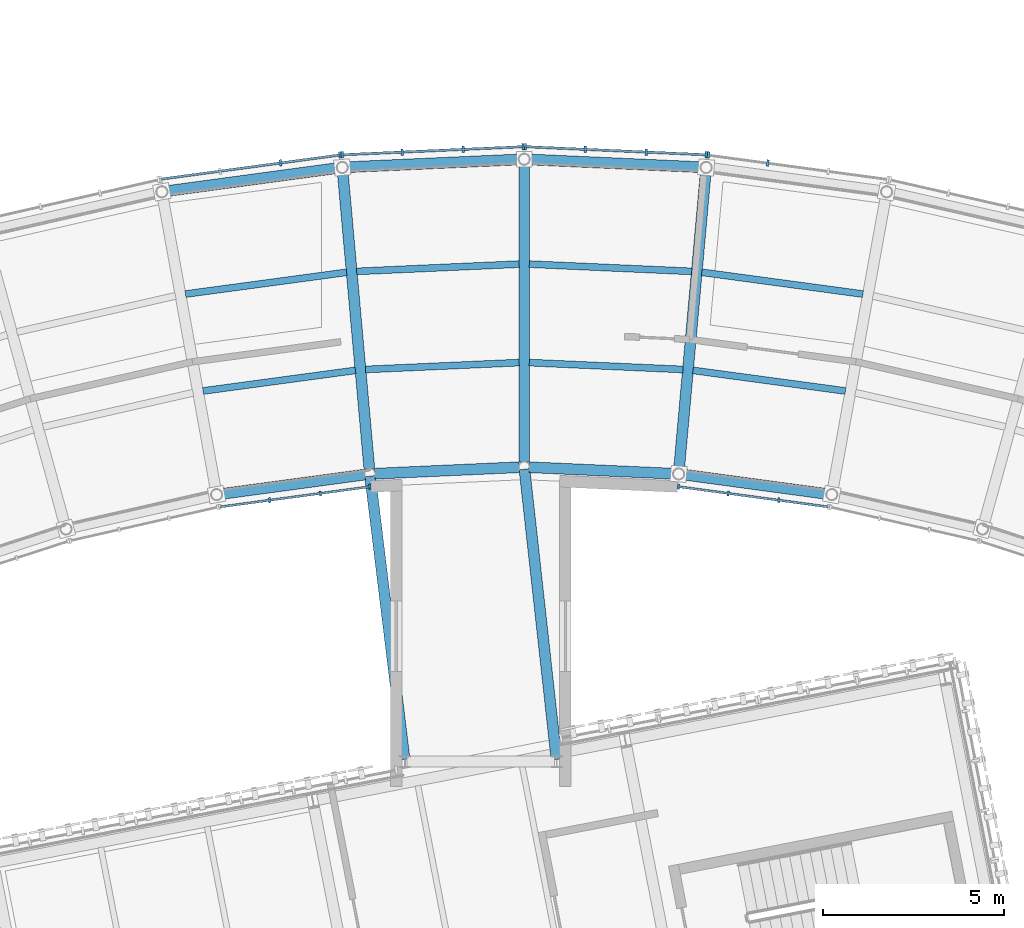
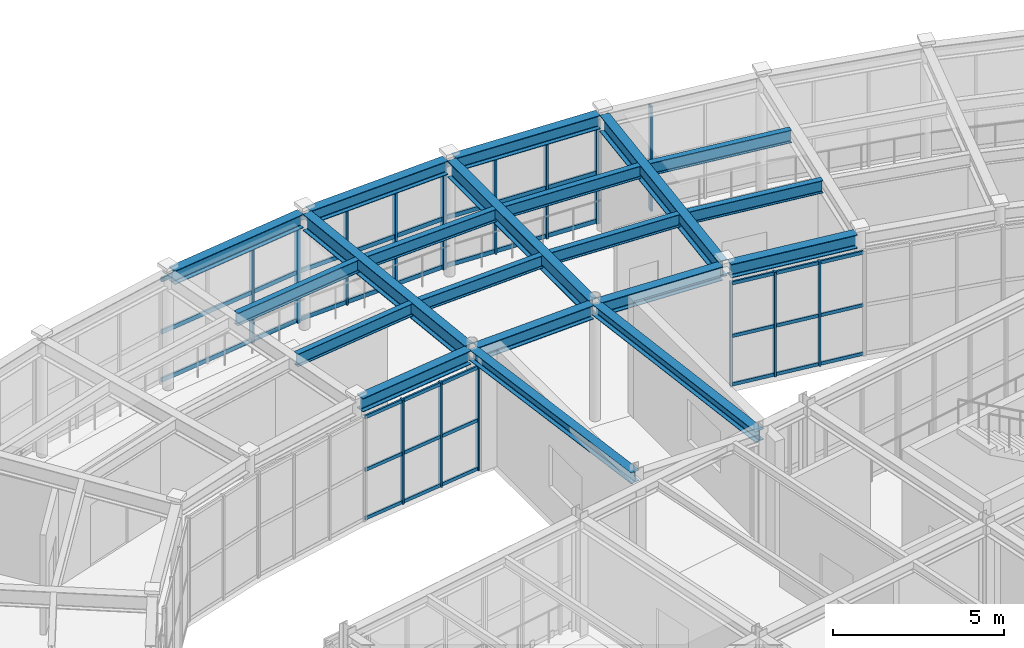
# One storey, part 47 of 103: 33 members, 20 beams, 6 elements without a shape of their own.
"""IFC4 building model written with IfcOpenShell, lengths in metres."""

from ifc_helpers import new_model, si_unit, direction, frame, origin, origin_2d, place, context, subcontext, project, spatial, rectangle, i_section, extrude, material, material_profile, profile_set, type_object, element, aggregate, save


model = new_model("IFC4")

# Units and contexts
model_context = context("Model", 3, precision=1e-05, world=origin(), true_north=direction((0.0, 1.0)))
body_context = subcontext(model_context, "Body", "Model", "MODEL_VIEW")
ifc_project = project(units=[si_unit("LENGTHUNIT", "METRE"), si_unit("AREAUNIT", "SQUARE_METRE"), si_unit("VOLUMEUNIT", "CUBIC_METRE"), si_unit("PLANEANGLEUNIT", "RADIAN"), si_unit("MASSUNIT", "GRAM", prefix="KILO")], contexts=[model_context])

# Site, building, storey
site_placement = place(None, origin())
site = spatial("IfcSite", under=ifc_project, at=site_placement, CompositionType="ELEMENT")
building_placement = place(site_placement, origin())
building = spatial("IfcBuilding", under=site, at=building_placement, Name="Varnklinge Art Gallery", CompositionType="ELEMENT")
storey_placement = place(building_placement, frame((0.0, 0.0, 5.10009765625)))
storey = spatial("IfcBuildingStorey", under=building, at=storey_placement, Name="L01", CompositionType="ELEMENT", Elevation=5.10009765625)

# Beams
ifc_material_1 = material(Name="Steel S355", Category="steel")
ifc_material_profile_1 = material_profile(ifc_material_1, i_section(OverallWidth=0.300048828125, OverallDepth=0.590087890625, WebThickness=0.012939453125, FlangeThickness=0.02490234375, FilletRadius=0.027099609375, at=origin_2d()), Name="HEA 600")
ifc_profile_set_1 = profile_set([ifc_material_profile_1], Name="Steel S355")
beam_type_1 = type_object("IfcBeamType", Name="BM-06", PredefinedType="BEAM", material=ifc_profile_set_1)
beam_1_placement = place(storey_placement, frame((80.517822265625, 96.889892578125, 3.885009765625), z_axis=(-0.089446998225, -0.995991583553, 0.0), x_axis=(0.995991583553, -0.089446998225, 0.0)))
element("IfcBeam", 1, at=beam_1_placement, inside=storey, type_object=beam_type_1, Name="L01 BM-06 BM-V2-L02-R16", PredefinedType="BEAM", context=body_context, shape_type="SweptSolid", body=[
    extrude(i_section(OverallWidth=0.300048828125, OverallDepth=0.590087890625, WebThickness=0.012939453125, FlangeThickness=0.02490234375, FilletRadius=0.027099609375, at=origin_2d()), origin(), (0.0, 0.0, 1.0), 8.229248046875),
])
beam_2_placement = place(storey_placement, frame((75.5, 97.114501953125, 3.885009765625), z_axis=(0.0, -1.0, 0.0), x_axis=(1.0, 0.0, 0.0)))
element("IfcBeam", 2, at=beam_2_placement, inside=storey, type_object=beam_type_1, Name="L01 BM-06 BM-V2-L02-R17", PredefinedType="BEAM", context=body_context, shape_type="SweptSolid", body=[
    extrude(i_section(OverallWidth=0.300048828125, OverallDepth=0.590087890625, WebThickness=0.012939453125, FlangeThickness=0.02490234375, FilletRadius=0.027099609375, at=origin_2d()), origin(), (0.0, 0.0, 1.0), 8.22900390625),
])
beam_3_placement = place(storey_placement, frame((70.482177734375, 96.889892578125, 3.885009765625), z_axis=(0.089446998225, -0.995991583553, 0.0), x_axis=(0.995991583553, 0.089446998225, 0.0)))
element("IfcBeam", 3, at=beam_3_placement, inside=storey, type_object=beam_type_1, Name="L01 BM-06 BM-V2-L02-R18", PredefinedType="BEAM", context=body_context, shape_type="SweptSolid", body=[
    extrude(i_section(OverallWidth=0.300048828125, OverallDepth=0.590087890625, WebThickness=0.012939453125, FlangeThickness=0.02490234375, FilletRadius=0.027099609375, at=origin_2d()), origin(), (0.0, 0.0, 1.0), 8.229248046875),
])
ifc_material_2 = material(Name="Steel S355", Category="steel")
ifc_material_profile_2 = material_profile(ifc_material_2, i_section(OverallWidth=0.300048828125, OverallDepth=0.389892578125, WebThickness=0.010986328125, FlangeThickness=0.01904296875, FilletRadius=0.027099609375, at=origin_2d()), Name="HEA 400")
ifc_profile_set_2 = profile_set([ifc_material_profile_2], Name="Steel S355")
beam_type_2 = type_object("IfcBeamType", Name="BM-09", PredefinedType="BEAM", material=ifc_profile_set_2)
beam_4_placement = place(storey_placement, frame((76.393310546875, 80.65966796875, 3.98486328125), z_axis=(-0.109810964055, 0.993952489897, 0.0), x_axis=(-0.993952489897, -0.109810964055, 0.0)))
element("IfcBeam", 4, at=beam_4_placement, inside=storey, type_object=beam_type_2, Name="L01 BM-09 BM-LNK-V4N-L02-2", PredefinedType="BEAM", context=body_context, shape_type="SweptSolid", body=[
    extrude(i_section(OverallWidth=0.300048828125, OverallDepth=0.389892578125, WebThickness=0.010986328125, FlangeThickness=0.01904296875, FilletRadius=0.027099609375, at=origin_2d()), origin(), (0.0, 0.0, 1.0), 8.074951171875),
])
beam_5_placement = place(storey_placement, frame((71.238037109375, 88.494384765625, 3.98486328125), z_axis=(0.120946581817, -0.992659017159, 0.0), x_axis=(0.992659017159, 0.120946581817, 0.0)))
element("IfcBeam", 5, at=beam_5_placement, inside=storey, type_object=beam_type_2, Name="L01 BM-09 BM-LNK-V4N-L02-4", PredefinedType="BEAM", context=body_context, shape_type="SweptSolid", body=[
    extrude(i_section(OverallWidth=0.300048828125, OverallDepth=0.389892578125, WebThickness=0.010986328125, FlangeThickness=0.01904296875, FilletRadius=0.027099609375, at=origin_2d()), origin(), (0.0, 0.0, 1.0), 7.892578125),
])
ifc_material_3 = material(Name="Steel S355", Category="steel")
ifc_material_profile_3 = material_profile(ifc_material_3, i_section(OverallWidth=0.18994140625, OverallDepth=0.449951171875, WebThickness=0.009521484375, FlangeThickness=0.0146484375, FilletRadius=0.02099609375, at=origin_2d()), Name="IPE 450")
ifc_profile_set_3 = profile_set([ifc_material_profile_3], Name="Steel S355")
beam_type_3 = type_object("IfcBeamType", Name="JST-04", PredefinedType="JOIST", material=ifc_profile_set_3)
beam_6_placement = place(storey_placement, frame((84.8662109375, 93.52685546875, 3.954833984375), z_axis=(-0.990994962068, 0.1338991604, 0.0), x_axis=(-0.1338991604, -0.990994962068, 0.0)))
element("IfcBeam", 6, at=beam_6_placement, inside=storey, type_object=beam_type_3, Name="L01 JST-04 JST-V2-L02-15-1", PredefinedType="JOIST", context=body_context, shape_type="SweptSolid", body=[
    extrude(i_section(OverallWidth=0.18994140625, OverallDepth=0.449951171875, WebThickness=0.009521484375, FlangeThickness=0.0146484375, FilletRadius=0.02099609375, at=origin_2d()), origin(), (0.0, 0.0, 1.0), 4.496337890625),
])
beam_7_placement = place(storey_placement, frame((84.381103515625, 90.847412109375, 3.954833984375), z_axis=(-0.990990165217, 0.133934657366, 0.0), x_axis=(-0.133934657366, -0.990990165217, 0.0)))
element("IfcBeam", 7, at=beam_7_placement, inside=storey, type_object=beam_type_3, Name="L01 JST-04 JST-V2-L02-15-2", PredefinedType="JOIST", context=body_context, shape_type="SweptSolid", body=[
    extrude(i_section(OverallWidth=0.18994140625, OverallDepth=0.449951171875, WebThickness=0.009521484375, FlangeThickness=0.0146484375, FilletRadius=0.02099609375, at=origin_2d()), origin(), (0.0, 0.0, 1.0), 4.252685546875),
])
beam_8_placement = place(storey_placement, frame((80.131591796875, 94.154052734375, 3.954833984375), z_axis=(-0.998998547329, 0.044742624361, 0.0), x_axis=(-0.044742624361, -0.998998547329, 0.0)))
element("IfcBeam", 8, at=beam_8_placement, inside=storey, type_object=beam_type_3, Name="L01 JST-04 JST-V2-L02-16-1", PredefinedType="JOIST", context=body_context, shape_type="SweptSolid", body=[
    extrude(i_section(OverallWidth=0.18994140625, OverallDepth=0.449951171875, WebThickness=0.009521484375, FlangeThickness=0.0146484375, FilletRadius=0.02099609375, at=origin_2d()), origin(), (0.0, 0.0, 1.0), 4.49609375),
])
beam_9_placement = place(storey_placement, frame((79.88818359375, 91.44189453125, 3.954833984375), z_axis=(-0.998996870661, 0.044780044774, 0.0), x_axis=(-0.044780044774, -0.998996870661, 0.0)))
element("IfcBeam", 9, at=beam_9_placement, inside=storey, type_object=beam_type_3, Name="L01 JST-04 JST-V2-L02-16-2", PredefinedType="JOIST", context=body_context, shape_type="SweptSolid", body=[
    extrude(i_section(OverallWidth=0.18994140625, OverallDepth=0.449951171875, WebThickness=0.009521484375, FlangeThickness=0.0146484375, FilletRadius=0.02099609375, at=origin_2d()), origin(), (0.0, 0.0, 1.0), 4.25244140625),
])
beam_10_placement = place(storey_placement, frame((75.360107421875, 94.355224609375, 3.954833984375), z_axis=(-0.998998547329, -0.044742624361, 0.0), x_axis=(0.044742624361, -0.998998547329, 0.0)))
element("IfcBeam", 10, at=beam_10_placement, inside=storey, type_object=beam_type_3, Name="L01 JST-04 JST-V2-L02-17-1", PredefinedType="JOIST", context=body_context, shape_type="SweptSolid", body=[
    extrude(i_section(OverallWidth=0.18994140625, OverallDepth=0.449951171875, WebThickness=0.009521484375, FlangeThickness=0.0146484375, FilletRadius=0.02099609375, at=origin_2d()), origin(), (0.0, 0.0, 1.0), 4.49609375),
])
beam_11_placement = place(storey_placement, frame((75.360107421875, 91.63232421875, 3.954833984375), z_axis=(-0.998996870661, -0.044780044774, 0.0), x_axis=(0.044780044774, -0.998996870661, 0.0)))
element("IfcBeam", 11, at=beam_11_placement, inside=storey, type_object=beam_type_3, Name="L01 JST-04 JST-V2-L02-17-2", PredefinedType="JOIST", context=body_context, shape_type="SweptSolid", body=[
    extrude(i_section(OverallWidth=0.18994140625, OverallDepth=0.449951171875, WebThickness=0.009521484375, FlangeThickness=0.0146484375, FilletRadius=0.02099609375, at=origin_2d()), origin(), (0.0, 0.0, 1.0), 4.25244140625),
])
beam_12_placement = place(storey_placement, frame((70.589599609375, 94.12890625, 3.954833984375), z_axis=(-0.990994962068, -0.1338991604, 0.0), x_axis=(0.1338991604, -0.990994962068, 0.0)))
element("IfcBeam", 12, at=beam_12_placement, inside=storey, type_object=beam_type_3, Name="L01 JST-04 JST-V2-L02-18-1", PredefinedType="JOIST", context=body_context, shape_type="SweptSolid", body=[
    extrude(i_section(OverallWidth=0.18994140625, OverallDepth=0.449951171875, WebThickness=0.009521484375, FlangeThickness=0.0146484375, FilletRadius=0.02099609375, at=origin_2d()), origin(), (0.0, 0.0, 1.0), 4.496337890625),
])
beam_13_placement = place(storey_placement, frame((70.833251953125, 91.4169921875, 3.954833984375), z_axis=(-0.990990165217, -0.133934657366, 0.0), x_axis=(0.133934657366, -0.990990165217, 0.0)))
element("IfcBeam", 13, at=beam_13_placement, inside=storey, type_object=beam_type_3, Name="L01 JST-04 JST-V2-L02-18-2", PredefinedType="JOIST", context=body_context, shape_type="SweptSolid", body=[
    extrude(i_section(OverallWidth=0.18994140625, OverallDepth=0.449951171875, WebThickness=0.009521484375, FlangeThickness=0.0146484375, FilletRadius=0.02099609375, at=origin_2d()), origin(), (0.0, 0.0, 1.0), 4.252685546875),
])

# Curtain wall, members
ifc_material_4 = material(Name="Anodised Aluminium", Category="aluminium")
curtain_wall_type = type_object("IfcCurtainWallType", Name="CW-R04", PredefinedType="USERDEFINED", material=ifc_material_4)
curtain_wall_1_placement = place(storey_placement, origin())
curtain_wall_1 = element("IfcCurtainWall", 14, at=curtain_wall_1_placement, inside=storey, type_object=curtain_wall_type, Name="L01 Curtain Wall CW-V2O-L01-15", ObjectType="UNITISED CURTAIN WALL", PredefinedType="USERDEFINED")
ifc_material_5 = material(Name="Anodised Aluminium", Category="aluminium")
ifc_material_profile_4 = material_profile(ifc_material_5, rectangle(XDim=0.06494140625, YDim=0.179931640625, at=origin_2d()), Name="ALU 65x180")
ifc_profile_set_4 = profile_set([ifc_material_profile_4], Name="Anodised Aluminium")
member_type_1 = type_object("IfcMemberType", Name="MUL-01", PredefinedType="MULLION", material=ifc_profile_set_4)
member_1_placement = place(storey_placement, frame((82.235107421875, 97.151611328125, 0.0), z_axis=(0.0, 0.0, 1.0), x_axis=(-0.990983199715, 0.133986185418, 0.0)))
member_1 = element("IfcMember", 15, at=member_1_placement, type_object=member_type_1, Name="CW-V2O-L01-15 Mullion 3", PredefinedType="MULLION", context=body_context, shape_type="SweptSolid", body=[
    extrude(rectangle(XDim=0.06494140625, YDim=0.179931640625, at=origin_2d()), origin(), (0.0, 0.0, 1.0), 3.72998046875),
])
member_2_placement = place(storey_placement, frame((80.59375, 97.37353515625, 0.0), z_axis=(0.0, 0.0, 1.0), x_axis=(-0.990983199715, 0.133986185418, 0.0)))
member_2 = element("IfcMember", 16, at=member_2_placement, type_object=member_type_1, Name="CW-V2O-L01-15 Mullion 4", PredefinedType="MULLION", context=body_context, shape_type="SweptSolid", body=[
    extrude(rectangle(XDim=0.06494140625, YDim=0.179931640625, at=origin_2d()), origin(), (0.0, 0.0, 1.0), 3.72998046875),
])
aggregate(curtain_wall_1, [member_1, member_2])

curtain_wall_2_placement = place(storey_placement, origin())
curtain_wall_2 = element("IfcCurtainWall", 17, at=curtain_wall_2_placement, inside=storey, type_object=curtain_wall_type, Name="L01 Curtain Wall CW-V2O-L01-16", ObjectType="UNITISED CURTAIN WALL", PredefinedType="USERDEFINED")
member_3_placement = place(storey_placement, frame((80.529052734375, 97.37939453125, 0.0), z_axis=(0.0, 0.0, 1.0), x_axis=(-0.999001995685, 0.044665564108, 0.0)))
member_3 = element("IfcMember", 18, at=member_3_placement, type_object=member_type_1, Name="CW-V2O-L01-16 Mullion 1", PredefinedType="MULLION", context=body_context, shape_type="SweptSolid", body=[
    extrude(rectangle(XDim=0.06494140625, YDim=0.179931640625, at=origin_2d()), origin(), (0.0, 0.0, 1.0), 3.72998046875),
])
member_4_placement = place(storey_placement, frame((78.87451171875, 97.45361328125, 0.0), z_axis=(0.0, 0.0, 1.0), x_axis=(-0.999001995685, 0.044665564108, 0.0)))
member_4 = element("IfcMember", 19, at=member_4_placement, type_object=member_type_1, Name="CW-V2O-L01-16 Mullion 2", PredefinedType="MULLION", context=body_context, shape_type="SweptSolid", body=[
    extrude(rectangle(XDim=0.06494140625, YDim=0.179931640625, at=origin_2d()), origin(), (0.0, 0.0, 1.0), 3.72998046875),
])
member_5_placement = place(storey_placement, frame((77.187255859375, 97.529052734375, 0.0), z_axis=(0.0, 0.0, 1.0), x_axis=(-0.999001995685, 0.044665564108, 0.0)))
member_5 = element("IfcMember", 20, at=member_5_placement, type_object=member_type_1, Name="CW-V2O-L01-16 Mullion 3", PredefinedType="MULLION", context=body_context, shape_type="SweptSolid", body=[
    extrude(rectangle(XDim=0.06494140625, YDim=0.179931640625, at=origin_2d()), origin(), (0.0, 0.0, 1.0), 3.72998046875),
])
member_6_placement = place(storey_placement, frame((75.532470703125, 97.60302734375, 0.0), z_axis=(0.0, 0.0, 1.0), x_axis=(-0.999001995685, 0.044665564108, 0.0)))
member_6 = element("IfcMember", 21, at=member_6_placement, type_object=member_type_1, Name="CW-V2O-L01-16 Mullion 4", PredefinedType="MULLION", context=body_context, shape_type="SweptSolid", body=[
    extrude(rectangle(XDim=0.06494140625, YDim=0.179931640625, at=origin_2d()), origin(), (0.0, 0.0, 1.0), 3.72998046875),
])

curtain_wall_3_placement = place(storey_placement, origin())
curtain_wall_3 = element("IfcCurtainWall", 22, at=curtain_wall_3_placement, inside=storey, type_object=curtain_wall_type, Name="L01 Curtain Wall CW-V2O-L01-17", ObjectType="UNITISED CURTAIN WALL", PredefinedType="USERDEFINED")
member_7_placement = place(storey_placement, frame((75.467529296875, 97.60302734375, 0.0), z_axis=(0.0, 0.0, 1.0), x_axis=(-0.999001995685, -0.044665564108, 0.0)))
member_7 = element("IfcMember", 23, at=member_7_placement, type_object=member_type_1, Name="CW-V2O-L01-17 Mullion 1", PredefinedType="MULLION", context=body_context, shape_type="SweptSolid", body=[
    extrude(rectangle(XDim=0.06494140625, YDim=0.179931640625, at=origin_2d()), origin(), (0.0, 0.0, 1.0), 3.72998046875),
])
member_8_placement = place(storey_placement, frame((73.812744140625, 97.529052734375, 0.0), z_axis=(0.0, 0.0, 1.0), x_axis=(-0.999001995685, -0.044665564108, 0.0)))
member_8 = element("IfcMember", 24, at=member_8_placement, type_object=member_type_1, Name="CW-V2O-L01-17 Mullion 2", PredefinedType="MULLION", context=body_context, shape_type="SweptSolid", body=[
    extrude(rectangle(XDim=0.06494140625, YDim=0.179931640625, at=origin_2d()), origin(), (0.0, 0.0, 1.0), 3.72998046875),
])
member_9_placement = place(storey_placement, frame((72.12548828125, 97.45361328125, 0.0), z_axis=(0.0, 0.0, 1.0), x_axis=(-0.999001995685, -0.044665564108, 0.0)))
member_9 = element("IfcMember", 25, at=member_9_placement, type_object=member_type_1, Name="CW-V2O-L01-17 Mullion 3", PredefinedType="MULLION", context=body_context, shape_type="SweptSolid", body=[
    extrude(rectangle(XDim=0.06494140625, YDim=0.179931640625, at=origin_2d()), origin(), (0.0, 0.0, 1.0), 3.72998046875),
])
member_10_placement = place(storey_placement, frame((70.470947265625, 97.37939453125, 0.0), z_axis=(0.0, 0.0, 1.0), x_axis=(-0.999001995685, -0.044665564108, 0.0)))
member_10 = element("IfcMember", 26, at=member_10_placement, type_object=member_type_1, Name="CW-V2O-L01-17 Mullion 4", PredefinedType="MULLION", context=body_context, shape_type="SweptSolid", body=[
    extrude(rectangle(XDim=0.06494140625, YDim=0.179931640625, at=origin_2d()), origin(), (0.0, 0.0, 1.0), 3.72998046875),
])

curtain_wall_4_placement = place(storey_placement, origin())
curtain_wall_4 = element("IfcCurtainWall", 27, at=curtain_wall_4_placement, inside=storey, type_object=curtain_wall_type, Name="L01 Curtain Wall CW-V2O-L01-18", ObjectType="UNITISED CURTAIN WALL", PredefinedType="USERDEFINED")
member_11_placement = place(storey_placement, frame((70.40625, 97.37353515625, 0.0), z_axis=(0.0, 0.0, 1.0), x_axis=(-0.990983199715, -0.133986185418, 0.0)))
member_11 = element("IfcMember", 28, at=member_11_placement, type_object=member_type_1, Name="CW-V2O-L01-18 Mullion 1", PredefinedType="MULLION", context=body_context, shape_type="SweptSolid", body=[
    extrude(rectangle(XDim=0.06494140625, YDim=0.179931640625, at=origin_2d()), origin(), (0.0, 0.0, 1.0), 3.72998046875),
])
member_12_placement = place(storey_placement, frame((68.764892578125, 97.151611328125, 0.0), z_axis=(0.0, 0.0, 1.0), x_axis=(-0.990983199715, -0.133986185418, 0.0)))
member_12 = element("IfcMember", 29, at=member_12_placement, type_object=member_type_1, Name="CW-V2O-L01-18 Mullion 2", PredefinedType="MULLION", context=body_context, shape_type="SweptSolid", body=[
    extrude(rectangle(XDim=0.06494140625, YDim=0.179931640625, at=origin_2d()), origin(), (0.0, 0.0, 1.0), 3.72998046875),
])

curtain_wall_5_placement = place(storey_placement, origin())
curtain_wall_5 = element("IfcCurtainWall", 30, at=curtain_wall_5_placement, inside=storey, type_object=curtain_wall_type, Name="L01 Curtain Wall CW-V2I-L01-15", ObjectType="UNITISED CURTAIN WALL", PredefinedType="USERDEFINED")
ifc_material_6 = material(Name="Anodised Aluminium", Category="aluminium")
ifc_material_profile_5 = material_profile(ifc_material_6, rectangle(XDim=0.06005859375, YDim=0.139892578125, at=origin_2d()), Name="ALU 60x140")
ifc_profile_set_5 = profile_set([ifc_material_profile_5], Name="Anodised Aluminium")
member_type_2 = type_object("IfcMemberType", Name="MUL-03", PredefinedType="MULLION", material=ifc_profile_set_5)
member_13_placement = place(storey_placement, frame((79.767578125, 88.201416015625, 0.0), z_axis=(0.0, 0.0, 1.0), x_axis=(0.990983199715, -0.133986185418, 0.0)))
member_13 = element("IfcMember", 31, at=member_13_placement, type_object=member_type_2, Name="CW-V2I-L01-15 Mullion 1", PredefinedType="MULLION", context=body_context, shape_type="SweptSolid", body=[
    extrude(rectangle(XDim=0.06005859375, YDim=0.139892578125, at=origin_2d()), origin(), (0.0, 0.0, 1.0), 3.72998046875),
])
member_14_placement = place(storey_placement, frame((81.139404296875, 88.01611328125, 0.0), z_axis=(0.0, 0.0, 1.0), x_axis=(0.990983199715, -0.133986185418, 0.0)))
member_14 = element("IfcMember", 32, at=member_14_placement, type_object=member_type_2, Name="CW-V2I-L01-15 Mullion 2", PredefinedType="MULLION", context=body_context, shape_type="SweptSolid", body=[
    extrude(rectangle(XDim=0.06005859375, YDim=0.139892578125, at=origin_2d()), origin(), (0.0, 0.0, 1.0), 3.72998046875),
])
member_15_placement = place(storey_placement, frame((82.540771484375, 87.826904296875, 0.0), z_axis=(0.0, 0.0, 1.0), x_axis=(0.990983199715, -0.133986185418, 0.0)))
member_15 = element("IfcMember", 33, at=member_15_placement, type_object=member_type_2, Name="CW-V2I-L01-15 Mullion 3", PredefinedType="MULLION", context=body_context, shape_type="SweptSolid", body=[
    extrude(rectangle(XDim=0.06005859375, YDim=0.139892578125, at=origin_2d()), origin(), (0.0, 0.0, 1.0), 3.72998046875),
])

curtain_wall_6_placement = place(storey_placement, origin())
curtain_wall_6 = element("IfcCurtainWall", 34, at=curtain_wall_6_placement, inside=storey, type_object=curtain_wall_type, Name="L01 Curtain Wall CW-V2I-L01-18", ObjectType="UNITISED CURTAIN WALL", PredefinedType="USERDEFINED")
member_16_placement = place(storey_placement, frame((68.459228515625, 87.826904296875, 0.0), z_axis=(0.0, 0.0, 1.0), x_axis=(0.990983199715, 0.133986185418, 0.0)))
member_16 = element("IfcMember", 35, at=member_16_placement, type_object=member_type_2, Name="CW-V2I-L01-18 Mullion 2", PredefinedType="MULLION", context=body_context, shape_type="SweptSolid", body=[
    extrude(rectangle(XDim=0.06005859375, YDim=0.139892578125, at=origin_2d()), origin(), (0.0, 0.0, 1.0), 3.72998046875),
])
member_17_placement = place(storey_placement, frame((69.860595703125, 88.01611328125, 0.0), z_axis=(0.0, 0.0, 1.0), x_axis=(0.990983199715, 0.133986185418, 0.0)))
member_17 = element("IfcMember", 36, at=member_17_placement, type_object=member_type_2, Name="CW-V2I-L01-18 Mullion 3", PredefinedType="MULLION", context=body_context, shape_type="SweptSolid", body=[
    extrude(rectangle(XDim=0.06005859375, YDim=0.139892578125, at=origin_2d()), origin(), (0.0, 0.0, 1.0), 3.72998046875),
])
member_18_placement = place(storey_placement, frame((71.232421875, 88.201416015625, 0.0), z_axis=(0.0, 0.0, 1.0), x_axis=(0.990983199715, 0.133986185418, 0.0)))
member_18 = element("IfcMember", 37, at=member_18_placement, type_object=member_type_2, Name="CW-V2I-L01-18 Mullion 4", PredefinedType="MULLION", context=body_context, shape_type="SweptSolid", body=[
    extrude(rectangle(XDim=0.06005859375, YDim=0.139892578125, at=origin_2d()), origin(), (0.0, 0.0, 1.0), 3.72998046875),
])

# Beams
ifc_material_7 = material(Name="Steel S355", Category="steel")
ifc_material_profile_6 = material_profile(ifc_material_7, i_section(OverallWidth=0.300048828125, OverallDepth=0.489990234375, WebThickness=0.011962890625, FlangeThickness=0.02294921875, FilletRadius=0.027099609375, at=origin_2d()), Name="HEA 500")
ifc_profile_set_6 = profile_set([ifc_material_profile_6], Name="Steel S355")
beam_type_4 = type_object("IfcBeamType", Name="SPB-01", PredefinedType="SPANDREL", material=ifc_profile_set_6)
beam_14_placement = place(storey_placement, frame((83.86572265625, 88.00048828125, 3.934814453125), z_axis=(-0.990989799055, 0.133937366586, 0.0), x_axis=(-0.133937366586, -0.990989799055, 0.0)))
element("IfcBeam", 38, at=beam_14_placement, inside=storey, type_object=beam_type_4, Name="L01 SPB-01 BM-V2-L02-I15", PredefinedType="SPANDREL", context=body_context, shape_type="SweptSolid", body=[
    extrude(i_section(OverallWidth=0.300048828125, OverallDepth=0.489990234375, WebThickness=0.011962890625, FlangeThickness=0.02294921875, FilletRadius=0.027099609375, at=origin_2d()), origin(), (0.0, 0.0, 1.0), 3.99365234375),
])
beam_15_placement = place(storey_placement, frame((80.390380859375, 97.03564453125, 3.934814453125), z_axis=(-0.998999636454, 0.0447183001, 0.0), x_axis=(-0.0447183001, -0.998999636454, 0.0)))
element("IfcBeam", 39, at=beam_15_placement, inside=storey, type_object=beam_type_4, Name="L01 SPB-01 BM-V2-L02-O16", PredefinedType="SPANDREL", context=body_context, shape_type="SweptSolid", body=[
    extrude(i_section(OverallWidth=0.300048828125, OverallDepth=0.489990234375, WebThickness=0.011962890625, FlangeThickness=0.02294921875, FilletRadius=0.027099609375, at=origin_2d()), origin(), (0.0, 0.0, 1.0), 4.755126953125),
])
beam_16_placement = place(storey_placement, frame((79.62939453125, 88.560302734375, 3.934814453125), z_axis=(-0.998998197966, 0.044750424142, 0.0), x_axis=(-0.044750424142, -0.998998197966, 0.0)))
element("IfcBeam", 40, at=beam_16_placement, inside=storey, type_object=beam_type_4, Name="L01 SPB-01 BM-V2-L02-I16", PredefinedType="SPANDREL", context=body_context, shape_type="SweptSolid", body=[
    extrude(i_section(OverallWidth=0.300048828125, OverallDepth=0.489990234375, WebThickness=0.011962890625, FlangeThickness=0.02294921875, FilletRadius=0.027099609375, at=origin_2d()), origin(), (0.0, 0.0, 1.0), 3.993408203125),
])
beam_17_placement = place(storey_placement, frame((75.360107421875, 97.248291015625, 3.934814453125), z_axis=(-0.998999636454, -0.0447183001, 0.0), x_axis=(0.0447183001, -0.998999636454, 0.0)))
element("IfcBeam", 41, at=beam_17_placement, inside=storey, type_object=beam_type_4, Name="L01 SPB-01 BM-V2-L02-O17", PredefinedType="SPANDREL", context=body_context, shape_type="SweptSolid", body=[
    extrude(i_section(OverallWidth=0.300048828125, OverallDepth=0.489990234375, WebThickness=0.011962890625, FlangeThickness=0.02294921875, FilletRadius=0.027099609375, at=origin_2d()), origin(), (0.0, 0.0, 1.0), 4.755126953125),
])
beam_18_placement = place(storey_placement, frame((75.360107421875, 88.739013671875, 3.934814453125), z_axis=(-0.998998197966, -0.044750424142, 0.0), x_axis=(0.044750424142, -0.998998197966, 0.0)))
element("IfcBeam", 42, at=beam_18_placement, inside=storey, type_object=beam_type_4, Name="L01 SPB-01 BM-V2-L02-I17", PredefinedType="SPANDREL", context=body_context, shape_type="SweptSolid", body=[
    extrude(i_section(OverallWidth=0.300048828125, OverallDepth=0.489990234375, WebThickness=0.011962890625, FlangeThickness=0.02294921875, FilletRadius=0.027099609375, at=origin_2d()), origin(), (0.0, 0.0, 1.0), 3.993408203125),
])
beam_19_placement = place(storey_placement, frame((70.3310546875, 97.010498046875, 3.934814453125), z_axis=(-0.990995928782, -0.133892005505, 0.0), x_axis=(0.133892005505, -0.990995928782, 0.0)))
element("IfcBeam", 43, at=beam_19_placement, inside=storey, type_object=beam_type_4, Name="L01 SPB-01 BM-V2-L02-O18", PredefinedType="SPANDREL", context=body_context, shape_type="SweptSolid", body=[
    extrude(i_section(OverallWidth=0.300048828125, OverallDepth=0.489990234375, WebThickness=0.011962890625, FlangeThickness=0.02294921875, FilletRadius=0.027099609375, at=origin_2d()), origin(), (0.0, 0.0, 1.0), 4.75537109375),
])
beam_20_placement = place(storey_placement, frame((71.092041015625, 88.535400390625, 3.934814453125), z_axis=(-0.990989799055, -0.133937366586, 0.0), x_axis=(0.133937366586, -0.990989799055, 0.0)))
element("IfcBeam", 44, at=beam_20_placement, inside=storey, type_object=beam_type_4, Name="L01 SPB-01 BM-V2-L02-I18", PredefinedType="SPANDREL", context=body_context, shape_type="SweptSolid", body=[
    extrude(i_section(OverallWidth=0.300048828125, OverallDepth=0.489990234375, WebThickness=0.011962890625, FlangeThickness=0.02294921875, FilletRadius=0.027099609375, at=origin_2d()), origin(), (0.0, 0.0, 1.0), 3.99365234375),
])

# Member
ifc_material_8 = material(Name="Anodised Aluminium", Category="aluminium")
ifc_material_profile_7 = material_profile(ifc_material_8, rectangle(XDim=0.06494140625, YDim=0.14990234375, at=origin_2d()), Name="ALU 65x150")
ifc_profile_set_7 = profile_set([ifc_material_profile_7], Name="Anodised Aluminium")
member_type_3 = type_object("IfcMemberType", Name="TRN-01", PredefinedType="USERDEFINED", material=ifc_profile_set_7)
member_19_placement = place(storey_placement, frame((80.529052734375, 97.37939453125, 0.074951171875), z_axis=(-0.998999900695, 0.044712396611, 0.0), x_axis=(-0.044712396611, -0.998999900695, 0.0)))
member_19 = element("IfcMember", 45, at=member_19_placement, type_object=member_type_3, Name="CW-V2O-L01-16 Transom 1", ObjectType="TRANSOM", PredefinedType="USERDEFINED", context=body_context, shape_type="SweptSolid", body=[
    extrude(rectangle(XDim=0.06494140625, YDim=0.14990234375, at=origin_2d()), origin(), (0.0, 0.0, 1.0), 5.00146484375),
])

member_20_placement = place(storey_placement, frame((80.529052734375, 97.37939453125, 1.790283203125), z_axis=(-0.998999900695, 0.044712396611, 0.0), x_axis=(-0.044712396611, -0.998999900695, 0.0)))
member_20 = element("IfcMember", 46, at=member_20_placement, type_object=member_type_3, Name="CW-V2O-L01-16 Transom 2", ObjectType="TRANSOM", PredefinedType="USERDEFINED", context=body_context, shape_type="SweptSolid", body=[
    extrude(rectangle(XDim=0.06494140625, YDim=0.14990234375, at=origin_2d()), origin(), (0.0, 0.0, 1.0), 5.00146484375),
])

member_21_placement = place(storey_placement, frame((80.529052734375, 97.37939453125, 3.65478515625), z_axis=(-0.998999900695, 0.044712396611, 0.0), x_axis=(-0.044712396611, -0.998999900695, 0.0)))
member_21 = element("IfcMember", 47, at=member_21_placement, type_object=member_type_3, Name="CW-V2O-L01-16 Transom 3", ObjectType="TRANSOM", PredefinedType="USERDEFINED", context=body_context, shape_type="SweptSolid", body=[
    extrude(rectangle(XDim=0.06494140625, YDim=0.14990234375, at=origin_2d()), origin(), (0.0, 0.0, 1.0), 5.00146484375),
])

aggregate(curtain_wall_2, [member_3, member_4, member_5, member_6, member_19, member_20, member_21])

member_22_placement = place(storey_placement, frame((75.467529296875, 97.60302734375, 0.074951171875), z_axis=(-0.998999900695, -0.044712396611, 0.0), x_axis=(0.044712396611, -0.998999900695, 0.0)))
member_22 = element("IfcMember", 48, at=member_22_placement, type_object=member_type_3, Name="CW-V2O-L01-17 Transom 1", ObjectType="TRANSOM", PredefinedType="USERDEFINED", context=body_context, shape_type="SweptSolid", body=[
    extrude(rectangle(XDim=0.06494140625, YDim=0.14990234375, at=origin_2d()), origin(), (0.0, 0.0, 1.0), 5.00146484375),
])

member_23_placement = place(storey_placement, frame((75.467529296875, 97.60302734375, 1.790283203125), z_axis=(-0.998999900695, -0.044712396611, 0.0), x_axis=(0.044712396611, -0.998999900695, 0.0)))
member_23 = element("IfcMember", 49, at=member_23_placement, type_object=member_type_3, Name="CW-V2O-L01-17 Transom 2", ObjectType="TRANSOM", PredefinedType="USERDEFINED", context=body_context, shape_type="SweptSolid", body=[
    extrude(rectangle(XDim=0.06494140625, YDim=0.14990234375, at=origin_2d()), origin(), (0.0, 0.0, 1.0), 5.00146484375),
])

member_24_placement = place(storey_placement, frame((75.467529296875, 97.60302734375, 3.65478515625), z_axis=(-0.998999900695, -0.044712396611, 0.0), x_axis=(0.044712396611, -0.998999900695, 0.0)))
member_24 = element("IfcMember", 50, at=member_24_placement, type_object=member_type_3, Name="CW-V2O-L01-17 Transom 3", ObjectType="TRANSOM", PredefinedType="USERDEFINED", context=body_context, shape_type="SweptSolid", body=[
    extrude(rectangle(XDim=0.06494140625, YDim=0.14990234375, at=origin_2d()), origin(), (0.0, 0.0, 1.0), 5.00146484375),
])

aggregate(curtain_wall_3, [member_7, member_8, member_9, member_10, member_22, member_23, member_24])

member_25_placement = place(storey_placement, frame((70.40625, 97.37353515625, 0.074951171875), z_axis=(-0.990995756653, -0.133893279504, 0.0), x_axis=(0.133893279504, -0.990995756653, 0.0)))
member_25 = element("IfcMember", 51, at=member_25_placement, type_object=member_type_3, Name="CW-V2O-L01-18 Transom 1", ObjectType="TRANSOM", PredefinedType="USERDEFINED", context=body_context, shape_type="SweptSolid", body=[
    extrude(rectangle(XDim=0.06494140625, YDim=0.14990234375, at=origin_2d()), origin(), (0.0, 0.0, 1.0), 5.00146484375),
])

member_26_placement = place(storey_placement, frame((70.40625, 97.37353515625, 1.790283203125), z_axis=(-0.990995756653, -0.133893279504, 0.0), x_axis=(0.133893279504, -0.990995756653, 0.0)))
member_26 = element("IfcMember", 52, at=member_26_placement, type_object=member_type_3, Name="CW-V2O-L01-18 Transom 2", ObjectType="TRANSOM", PredefinedType="USERDEFINED", context=body_context, shape_type="SweptSolid", body=[
    extrude(rectangle(XDim=0.06494140625, YDim=0.14990234375, at=origin_2d()), origin(), (0.0, 0.0, 1.0), 5.00146484375),
])

member_27_placement = place(storey_placement, frame((70.40625, 97.37353515625, 3.65478515625), z_axis=(-0.990995756653, -0.133893279504, 0.0), x_axis=(0.133893279504, -0.990995756653, 0.0)))
member_27 = element("IfcMember", 53, at=member_27_placement, type_object=member_type_3, Name="CW-V2O-L01-18 Transom 3", ObjectType="TRANSOM", PredefinedType="USERDEFINED", context=body_context, shape_type="SweptSolid", body=[
    extrude(rectangle(XDim=0.06494140625, YDim=0.14990234375, at=origin_2d()), origin(), (0.0, 0.0, 1.0), 5.00146484375),
])

aggregate(curtain_wall_4, [member_11, member_12, member_25, member_26, member_27])

ifc_material_9 = material(Name="Anodised Aluminium", Category="aluminium")
ifc_material_profile_8 = material_profile(ifc_material_9, rectangle(XDim=0.06005859375, YDim=0.1201171875, at=origin_2d()), Name="ALU 60x120")
ifc_profile_set_8 = profile_set([ifc_material_profile_8], Name="Anodised Aluminium")
member_type_4 = type_object("IfcMemberType", Name="TRN-02", PredefinedType="USERDEFINED", material=ifc_profile_set_8)
member_28_placement = place(storey_placement, frame((79.767578125, 88.201416015625, 0.059814453125), z_axis=(0.99099389595, -0.133907050557, 0.0), x_axis=(0.133907050557, 0.99099389595, 0.0)))
member_28 = element("IfcMember", 54, at=member_28_placement, type_object=member_type_4, Name="CW-V2I-L01-15 Transom 1", ObjectType="TRANSOM", PredefinedType="USERDEFINED", context=body_context, shape_type="SweptSolid", body=[
    extrude(rectangle(XDim=0.06005859375, YDim=0.1201171875, at=origin_2d()), origin(), (0.0, 0.0, 1.0), 4.182373046875),
])

member_29_placement = place(storey_placement, frame((79.767578125, 88.201416015625, 1.790283203125), z_axis=(0.99099389595, -0.133907050557, 0.0), x_axis=(0.133907050557, 0.99099389595, 0.0)))
member_29 = element("IfcMember", 55, at=member_29_placement, type_object=member_type_4, Name="CW-V2I-L01-15 Transom 2", ObjectType="TRANSOM", PredefinedType="USERDEFINED", context=body_context, shape_type="SweptSolid", body=[
    extrude(rectangle(XDim=0.06005859375, YDim=0.1201171875, at=origin_2d()), origin(), (0.0, 0.0, 1.0), 4.182373046875),
])

member_30_placement = place(storey_placement, frame((79.767578125, 88.201416015625, 3.669921875), z_axis=(0.99099389595, -0.133907050557, 0.0), x_axis=(0.133907050557, 0.99099389595, 0.0)))
member_30 = element("IfcMember", 56, at=member_30_placement, type_object=member_type_4, Name="CW-V2I-L01-15 Transom 3", ObjectType="TRANSOM", PredefinedType="USERDEFINED", context=body_context, shape_type="SweptSolid", body=[
    extrude(rectangle(XDim=0.06005859375, YDim=0.1201171875, at=origin_2d()), origin(), (0.0, 0.0, 1.0), 4.182373046875),
])

aggregate(curtain_wall_5, [member_13, member_14, member_15, member_28, member_29, member_30])

member_31_placement = place(storey_placement, frame((67.087646484375, 87.641357421875, 0.059814453125), z_axis=(0.99099389595, 0.133907050557, 0.0), x_axis=(-0.133907050557, 0.99099389595, 0.0)))
member_31 = element("IfcMember", 57, at=member_31_placement, type_object=member_type_4, Name="CW-V2I-L01-18 Transom 1", ObjectType="TRANSOM", PredefinedType="USERDEFINED", context=body_context, shape_type="SweptSolid", body=[
    extrude(rectangle(XDim=0.06005859375, YDim=0.1201171875, at=origin_2d()), origin(), (0.0, 0.0, 1.0), 4.182373046875),
])

member_32_placement = place(storey_placement, frame((67.087646484375, 87.641357421875, 1.790283203125), z_axis=(0.99099389595, 0.133907050557, 0.0), x_axis=(-0.133907050557, 0.99099389595, 0.0)))
member_32 = element("IfcMember", 58, at=member_32_placement, type_object=member_type_4, Name="CW-V2I-L01-18 Transom 2", ObjectType="TRANSOM", PredefinedType="USERDEFINED", context=body_context, shape_type="SweptSolid", body=[
    extrude(rectangle(XDim=0.06005859375, YDim=0.1201171875, at=origin_2d()), origin(), (0.0, 0.0, 1.0), 4.182373046875),
])

member_33_placement = place(storey_placement, frame((67.087646484375, 87.641357421875, 3.669921875), z_axis=(0.99099389595, 0.133907050557, 0.0), x_axis=(-0.133907050557, 0.99099389595, 0.0)))
member_33 = element("IfcMember", 59, at=member_33_placement, type_object=member_type_4, Name="CW-V2I-L01-18 Transom 3", ObjectType="TRANSOM", PredefinedType="USERDEFINED", context=body_context, shape_type="SweptSolid", body=[
    extrude(rectangle(XDim=0.06005859375, YDim=0.1201171875, at=origin_2d()), origin(), (0.0, 0.0, 1.0), 4.182373046875),
])

aggregate(curtain_wall_6, [member_16, member_17, member_18, member_31, member_32, member_33])

save(model, "model.ifc")
